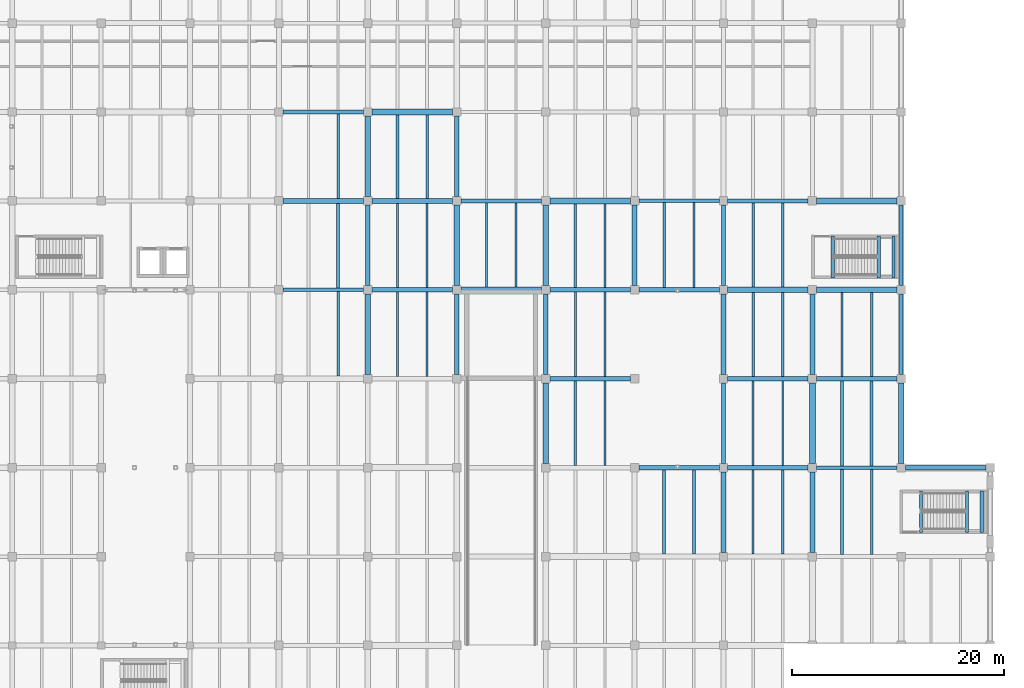
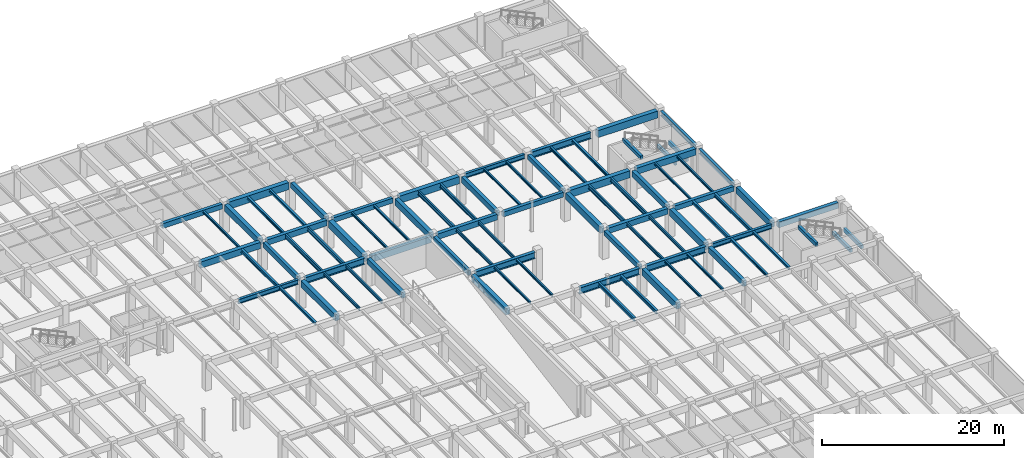
# One storey, part 25 of 63: 84 beams.
"""IFC4 building model written with IfcOpenShell, lengths in metres."""

from ifc_helpers import new_model, si_unit, direction, frame, origin, origin_2d, place, context, subcontext, project, spatial, rectangle, i_section, extrude, material, material_profile, profile_set, type_object, element, save


model = new_model("IFC4")

# Units and contexts
model_context = context("Model", 3, precision=1e-05, world=origin(), true_north=direction((0.0, 1.0)))
body_context = subcontext(model_context, "Body", "Model", "MODEL_VIEW")
ifc_project = project(units=[si_unit("LENGTHUNIT", "METRE"), si_unit("AREAUNIT", "SQUARE_METRE"), si_unit("VOLUMEUNIT", "CUBIC_METRE"), si_unit("PLANEANGLEUNIT", "RADIAN"), si_unit("MASSUNIT", "GRAM", prefix="KILO")], contexts=[model_context])

# Site, building, storey
site_placement = place(None, origin())
site = spatial("IfcSite", under=ifc_project, at=site_placement, CompositionType="ELEMENT")
building_placement = place(site_placement, origin())
building = spatial("IfcBuilding", under=site, at=building_placement, Name="Cumbredor Promenade Congress Hotel", CompositionType="ELEMENT")
storey_placement = place(building_placement, frame((0.0, 0.0, -4.199951171875)))
storey = spatial("IfcBuildingStorey", under=building, at=storey_placement, Name="B01", CompositionType="ELEMENT", Elevation=-4.199951171875)

# Beams
ifc_material_1 = material(Name="Concrete C40/50", Category="concrete")
ifc_material_profile_1 = material_profile(ifc_material_1, rectangle(XDim=0.39990234375, YDim=0.64990234375, at=origin_2d()), Name="RC BEAM 400x650")
ifc_profile_set_1 = profile_set([ifc_material_profile_1], Name="Concrete C40/50")
beam_type_1 = type_object("IfcBeamType", Name="BM-RC-400x650", PredefinedType="BEAM", material=ifc_profile_set_1)
for number, where, z_axis, x_axis, name in (
    (1, (118.0, 100.800048828125, 3.52490234375), (1.0, 0.0, 0.0), (0.0, 1.0, 0.0), "L00 X-Grid Beam 351"),
    (2, (126.0, 84.39990234375, 3.52490234375), (0.0, 1.0, 0.0), (-1.0, 0.0, 0.0), "L00 Y-Grid Beam 375"),
):
    element("IfcBeam", number, at=place(storey_placement, frame(where, z_axis=z_axis, x_axis=x_axis)), inside=storey, type_object=beam_type_1, Name=name, PredefinedType="BEAM", context=body_context, shape_type="SweptSolid", body=[
        extrude(rectangle(XDim=0.39990234375, YDim=0.64990234375, at=origin_2d()), origin(), (0.0, 0.0, 1.0), 7.60009765625),
    ])
beam_1_placement = place(storey_placement, frame((134.800048828125, 92.39990234375, 3.52490234375), z_axis=(1.0, 0.0, 0.0), x_axis=(0.0, 1.0, 0.0)))
element("IfcBeam", 3, at=beam_1_placement, inside=storey, type_object=beam_type_1, Name="L00 X-Grid Beam 399", PredefinedType="BEAM", context=body_context, shape_type="SweptSolid", body=[
    extrude(rectangle(XDim=0.39990234375, YDim=0.64990234375, at=origin_2d()), origin(), (0.0, 0.0, 1.0), 7.599853515625),
])
beam_2_placement = place(storey_placement, frame((142.800048828125, 76.0, 3.52490234375), z_axis=(0.0, 1.0, 0.0), x_axis=(-1.0, 0.0, 0.0)))
element("IfcBeam", 4, at=beam_2_placement, inside=storey, type_object=beam_type_1, Name="L00 Y-Grid Beam 423", PredefinedType="BEAM", context=body_context, shape_type="SweptSolid", body=[
    extrude(rectangle(XDim=0.39990234375, YDim=0.64990234375, at=origin_2d()), origin(), (0.0, 0.0, 1.0), 7.60009765625),
])
for number, where, z_axis, x_axis, name in (
    (5, (151.60009765625, 84.0, 3.52490234375), (1.0, 0.0, 0.0), (0.0, 1.0, 0.0), "L00 X-Grid Beam 447"),
    (6, (159.60009765625, 67.60009765625, 3.52490234375), (0.0, 1.0, 0.0), (-1.0, 0.0, 0.0), "L00 Y-Grid Beam 471"),
):
    element("IfcBeam", number, at=place(storey_placement, frame(where, z_axis=z_axis, x_axis=x_axis)), inside=storey, type_object=beam_type_1, Name=name, PredefinedType="BEAM", context=body_context, shape_type="SweptSolid", body=[
        extrude(rectangle(XDim=0.39990234375, YDim=0.64990234375, at=origin_2d()), origin(), (0.0, 0.0, 1.0), 7.599853515625),
    ])
for number, where, z_axis, x_axis, name in (
    (7, (159.60009765625, 84.39990234375, 3.52490234375), (0.0, 1.0, 0.0), (-1.0, 0.0, 0.0), "L00 Y-Grid Beam 475"),
    (8, (168.39990234375, 75.60009765625, 3.52490234375), (1.0, 0.0, 0.0), (0.0, 1.0, 0.0), "L00 X-Grid Beam 499"),
):
    element("IfcBeam", number, at=place(storey_placement, frame(where, z_axis=z_axis, x_axis=x_axis)), inside=storey, type_object=beam_type_1, Name=name, PredefinedType="BEAM", context=body_context, shape_type="SweptSolid", body=[
        extrude(rectangle(XDim=0.39990234375, YDim=0.64990234375, at=origin_2d()), origin(), (0.0, 0.0, 1.0), 7.60009765625),
    ])
ifc_material_profile_2 = material_profile(ifc_material_1, rectangle(XDim=0.449951171875, YDim=0.75, at=origin_2d()), Name="RC BEAM 450x750")
ifc_profile_set_2 = profile_set([ifc_material_profile_2], Name="Concrete C40/50")
beam_type_2 = type_object("IfcBeamType", Name="BM-RC-450x750", PredefinedType="BEAM", material=ifc_profile_set_2)
for number, where, z_axis, x_axis, name in (
    (9, (126.39990234375, 92.39990234375, 3.474853515625), (1.0, 0.0, 0.0), (0.0, 1.0, 0.0), "L00 X-Grid Beam 376"),
    (10, (134.39990234375, 76.0, 3.474853515625), (0.0, 1.0, 0.0), (-1.0, 0.0, 0.0), "L00 Y-Grid Beam 396"),
):
    element("IfcBeam", number, at=place(storey_placement, frame(where, z_axis=z_axis, x_axis=x_axis)), inside=storey, type_object=beam_type_2, Name=name, PredefinedType="BEAM", context=body_context, shape_type="SweptSolid", body=[
        extrude(rectangle(XDim=0.449951171875, YDim=0.75, at=origin_2d()), origin(), (0.0, 0.0, 1.0), 7.60009765625),
    ])
beam_3_placement = place(storey_placement, frame((134.39990234375, 92.800048828125, 3.474853515625), z_axis=(0.0, 1.0, 0.0), x_axis=(-1.0, 0.0, 0.0)))
element("IfcBeam", 11, at=beam_3_placement, inside=storey, type_object=beam_type_2, Name="L00 Y-Grid Beam 400", PredefinedType="BEAM", context=body_context, shape_type="SweptSolid", body=[
    extrude(rectangle(XDim=0.449951171875, YDim=0.75, at=origin_2d()), origin(), (0.0, 0.0, 1.0), 7.599853515625),
])
for number, where, z_axis, x_axis, name in (
    (12, (143.199951171875, 84.0, 3.474853515625), (1.0, 0.0, 0.0), (0.0, 1.0, 0.0), "L00 X-Grid Beam 424"),
    (13, (151.199951171875, 84.39990234375, 3.474853515625), (0.0, 1.0, 0.0), (-1.0, 0.0, 0.0), "L00 Y-Grid Beam 448"),
    (14, (160.0, 75.60009765625, 3.474853515625), (1.0, 0.0, 0.0), (0.0, 1.0, 0.0), "L00 X-Grid Beam 472"),
    (15, (168.0, 59.199951171875, 3.474853515625), (0.0, 1.0, 0.0), (-1.0, 0.0, 0.0), "L00 Y-Grid Beam 496"),
    (16, (168.0, 76.0, 3.474853515625), (0.0, 1.0, 0.0), (-1.0, 0.0, 0.0), "L00 Y-Grid Beam 500"),
):
    element("IfcBeam", number, at=place(storey_placement, frame(where, z_axis=z_axis, x_axis=x_axis)), inside=storey, type_object=beam_type_2, Name=name, PredefinedType="BEAM", context=body_context, shape_type="SweptSolid", body=[
        extrude(rectangle(XDim=0.449951171875, YDim=0.75, at=origin_2d()), origin(), (0.0, 0.0, 1.0), 7.60009765625),
    ])
beam_4_placement = place(storey_placement, frame((176.800048828125, 67.199951171875, 3.474853515625), z_axis=(1.0, 0.0, 0.0), x_axis=(0.0, 1.0, 0.0)))
element("IfcBeam", 17, at=beam_4_placement, inside=storey, type_object=beam_type_2, Name="L00 X-Grid Beam 520", PredefinedType="BEAM", context=body_context, shape_type="SweptSolid", body=[
    extrude(rectangle(XDim=0.449951171875, YDim=0.75, at=origin_2d()), origin(), (0.0, 0.0, 1.0), 7.599853515625),
])
ifc_material_profile_3 = material_profile(ifc_material_1, rectangle(XDim=0.5, YDim=0.85009765625, at=origin_2d()), Name="RC BEAM 500x850")
ifc_profile_set_3 = profile_set([ifc_material_profile_3], Name="Concrete C40/50")
beam_type_3 = type_object("IfcBeamType", Name="BM-RC-500x850", PredefinedType="BEAM", material=ifc_profile_set_3)
for number, where, z_axis, x_axis, name in (
    (18, (118.0, 92.39990234375, 3.425048828125), (1.0, 0.0, 0.0), (0.0, 1.0, 0.0), "L00 X-Grid Beam 349"),
    (19, (126.0, 76.0, 3.425048828125), (0.0, 1.0, 0.0), (-1.0, 0.0, 0.0), "L00 Y-Grid Beam 373"),
):
    element("IfcBeam", number, at=place(storey_placement, frame(where, z_axis=z_axis, x_axis=x_axis)), inside=storey, type_object=beam_type_3, Name=name, PredefinedType="BEAM", context=body_context, shape_type="SweptSolid", body=[
        extrude(rectangle(XDim=0.5, YDim=0.85009765625, at=origin_2d()), origin(), (0.0, 0.0, 1.0), 7.60009765625),
    ])
for number, where, z_axis, x_axis, name in (
    (20, (126.0, 92.800048828125, 3.425048828125), (0.0, 1.0, 0.0), (-1.0, 0.0, 0.0), "L00 Y-Grid Beam 377"),
    (21, (134.800048828125, 84.0, 3.425048828125), (1.0, 0.0, 0.0), (0.0, 1.0, 0.0), "L00 X-Grid Beam 397"),
    (22, (142.800048828125, 67.60009765625, 3.425048828125), (0.0, 1.0, 0.0), (-1.0, 0.0, 0.0), "L00 Y-Grid Beam 421"),
):
    element("IfcBeam", number, at=place(storey_placement, frame(where, z_axis=z_axis, x_axis=x_axis)), inside=storey, type_object=beam_type_3, Name=name, PredefinedType="BEAM", context=body_context, shape_type="SweptSolid", body=[
        extrude(rectangle(XDim=0.5, YDim=0.85009765625, at=origin_2d()), origin(), (0.0, 0.0, 1.0), 7.599853515625),
    ])
for number, where, z_axis, x_axis, name in (
    (23, (142.800048828125, 84.39990234375, 3.425048828125), (0.0, 1.0, 0.0), (-1.0, 0.0, 0.0), "L00 Y-Grid Beam 425"),
    (24, (159.60009765625, 59.199951171875, 3.425048828125), (0.0, 1.0, 0.0), (-1.0, 0.0, 0.0), "L00 Y-Grid Beam 469"),
    (25, (159.60009765625, 76.0, 3.425048828125), (0.0, 1.0, 0.0), (-1.0, 0.0, 0.0), "L00 Y-Grid Beam 473"),
    (26, (168.39990234375, 84.0, 3.425048828125), (1.0, 0.0, 0.0), (0.0, 1.0, 0.0), "L00 X-Grid Beam 501"),
):
    element("IfcBeam", number, at=place(storey_placement, frame(where, z_axis=z_axis, x_axis=x_axis)), inside=storey, type_object=beam_type_3, Name=name, PredefinedType="BEAM", context=body_context, shape_type="SweptSolid", body=[
        extrude(rectangle(XDim=0.5, YDim=0.85009765625, at=origin_2d()), origin(), (0.0, 0.0, 1.0), 7.60009765625),
    ])
beam_5_placement = place(storey_placement, frame((176.39990234375, 67.60009765625, 3.425048828125), z_axis=(0.0, 1.0, 0.0), x_axis=(-1.0, 0.0, 0.0)))
element("IfcBeam", 27, at=beam_5_placement, inside=storey, type_object=beam_type_3, Name="L00 Y-Grid Beam 521", PredefinedType="BEAM", context=body_context, shape_type="SweptSolid", body=[
    extrude(rectangle(XDim=0.5, YDim=0.85009765625, at=origin_2d()), origin(), (0.0, 0.0, 1.0), 7.599853515625),
])
ifc_material_profile_4 = material_profile(ifc_material_1, rectangle(XDim=0.550048828125, YDim=0.949951171875, at=origin_2d()), Name="RC BEAM 550x950")
ifc_profile_set_4 = profile_set([ifc_material_profile_4], Name="Concrete C40/50")
beam_type_4 = type_object("IfcBeamType", Name="BM-RC-550x950", PredefinedType="BEAM", material=ifc_profile_set_4)
for number, where, z_axis, x_axis, name in (
    (28, (126.39990234375, 100.800048828125, 3.375), (1.0, 0.0, 0.0), (0.0, 1.0, 0.0), "L00 X-Grid Beam 378"),
    (29, (134.39990234375, 84.39990234375, 3.375), (0.0, 1.0, 0.0), (-1.0, 0.0, 0.0), "L00 Y-Grid Beam 398"),
    (30, (143.199951171875, 92.39990234375, 3.375), (1.0, 0.0, 0.0), (0.0, 1.0, 0.0), "L00 X-Grid Beam 426"),
    (31, (160.0, 84.0, 3.375), (1.0, 0.0, 0.0), (0.0, 1.0, 0.0), "L00 X-Grid Beam 474"),
):
    element("IfcBeam", number, at=place(storey_placement, frame(where, z_axis=z_axis, x_axis=x_axis)), inside=storey, type_object=beam_type_4, Name=name, PredefinedType="BEAM", context=body_context, shape_type="SweptSolid", body=[
        extrude(rectangle(XDim=0.550048828125, YDim=0.949951171875, at=origin_2d()), origin(), (0.0, 0.0, 1.0), 7.60009765625),
    ])
beam_6_placement = place(storey_placement, frame((168.0, 67.60009765625, 3.375), z_axis=(0.0, 1.0, 0.0), x_axis=(-1.0, 0.0, 0.0)))
element("IfcBeam", 32, at=beam_6_placement, inside=storey, type_object=beam_type_4, Name="L00 Y-Grid Beam 498", PredefinedType="BEAM", context=body_context, shape_type="SweptSolid", body=[
    extrude(rectangle(XDim=0.550048828125, YDim=0.949951171875, at=origin_2d()), origin(), (0.0, 0.0, 1.0), 7.599853515625),
])
beam_7_placement = place(storey_placement, frame((168.39990234375, 92.39990234375, 3.375), z_axis=(1.0, 0.0, 0.0), x_axis=(0.0, 1.0, 0.0)))
element("IfcBeam", 33, at=beam_7_placement, inside=storey, type_object=beam_type_4, Name="L00 X-Grid Beam 502", PredefinedType="BEAM", context=body_context, shape_type="SweptSolid", body=[
    extrude(rectangle(XDim=0.550048828125, YDim=0.949951171875, at=origin_2d()), origin(), (0.0, 0.0, 1.0), 7.60009765625),
])
ifc_material_2 = material(Name="Steel ASTM A992 Grade 50", Category="steel")
ifc_material_profile_5 = material_profile(ifc_material_2, i_section(OverallWidth=0.323974609375, OverallDepth=0.611083984375, WebThickness=0.0126953125, FlangeThickness=0.01904296875, at=origin_2d()), Name="W24X104")
ifc_profile_set_5 = profile_set([ifc_material_profile_5], Name="Steel ASTM A992 Grade 50")
beam_type_5 = type_object("IfcBeamType", Name="BM-W24X104", PredefinedType="BEAM", material=ifc_profile_set_5)
beam_8_placement = place(storey_placement, frame((118.0, 84.0, 3.54443359375), z_axis=(1.0, 0.0, 0.0), x_axis=(0.0, 1.0, 0.0)))
element("IfcBeam", 34, at=beam_8_placement, inside=storey, type_object=beam_type_5, Name="L00 X-Grid Beam 347", PredefinedType="BEAM", context=body_context, shape_type="SweptSolid", body=[
    extrude(i_section(OverallWidth=0.323974609375, OverallDepth=0.611083984375, WebThickness=0.0126953125, FlangeThickness=0.01904296875, at=origin_2d()), origin(), (0.0, 0.0, 1.0), 7.60009765625),
])
beam_9_placement = place(storey_placement, frame((151.60009765625, 92.39990234375, 3.54443359375), z_axis=(1.0, 0.0, 0.0), x_axis=(0.0, 1.0, 0.0)))
element("IfcBeam", 35, at=beam_9_placement, inside=storey, type_object=beam_type_5, Name="L00 X-Grid Beam 449", PredefinedType="BEAM", context=body_context, shape_type="SweptSolid", body=[
    extrude(i_section(OverallWidth=0.323974609375, OverallDepth=0.611083984375, WebThickness=0.0126953125, FlangeThickness=0.01904296875, at=origin_2d()), origin(), (0.0, 0.0, 1.0), 7.599853515625),
])
beam_10_placement = place(storey_placement, frame((168.39990234375, 67.199951171875, 3.54443359375), z_axis=(1.0, 0.0, 0.0), x_axis=(0.0, 1.0, 0.0)))
element("IfcBeam", 36, at=beam_10_placement, inside=storey, type_object=beam_type_5, Name="L00 X-Grid Beam 497", PredefinedType="BEAM", context=body_context, shape_type="SweptSolid", body=[
    extrude(i_section(OverallWidth=0.323974609375, OverallDepth=0.611083984375, WebThickness=0.0126953125, FlangeThickness=0.01904296875, at=origin_2d()), origin(), (0.0, 0.0, 1.0), 7.60009765625),
])
ifc_material_profile_6 = material_profile(ifc_material_2, i_section(OverallWidth=0.39990234375, OverallDepth=0.85498046875, WebThickness=0.018310546875, FlangeThickness=0.029296875, at=origin_2d()), Name="W33X201")
ifc_profile_set_6 = profile_set([ifc_material_profile_6], Name="Steel ASTM A992 Grade 50")
beam_type_6 = type_object("IfcBeamType", Name="BM-W33X201", PredefinedType="BEAM", material=ifc_profile_set_6)
for number, where, z_axis, x_axis, name in (
    (37, (126.39990234375, 84.0, 3.42236328125), (1.0, 0.0, 0.0), (0.0, 1.0, 0.0), "L00 X-Grid Beam 374"),
    (38, (143.199951171875, 75.60009765625, 3.42236328125), (1.0, 0.0, 0.0), (0.0, 1.0, 0.0), "L00 X-Grid Beam 422"),
):
    element("IfcBeam", number, at=place(storey_placement, frame(where, z_axis=z_axis, x_axis=x_axis)), inside=storey, type_object=beam_type_6, Name=name, PredefinedType="BEAM", context=body_context, shape_type="SweptSolid", body=[
        extrude(i_section(OverallWidth=0.39990234375, OverallDepth=0.85498046875, WebThickness=0.018310546875, FlangeThickness=0.029296875, at=origin_2d()), origin(), (0.0, 0.0, 1.0), 7.60009765625),
    ])
beam_11_placement = place(storey_placement, frame((151.60009765625, 67.199951171875, 3.42236328125), z_axis=(1.0, 0.0, 0.0), x_axis=(0.0, 1.0, 0.0)))
element("IfcBeam", 39, at=beam_11_placement, inside=storey, type_object=beam_type_6, Name="L00 X-Grid Beam 446", PredefinedType="BEAM", context=body_context, shape_type="SweptSolid", body=[
    extrude(i_section(OverallWidth=0.39990234375, OverallDepth=0.85498046875, WebThickness=0.018310546875, FlangeThickness=0.029296875, at=origin_2d()), origin(), (0.0, 0.0, 1.0), 7.599853515625),
])
for number, where, z_axis, x_axis, name in (
    (40, (160.0, 67.199951171875, 3.42236328125), (1.0, 0.0, 0.0), (0.0, 1.0, 0.0), "L00 X-Grid Beam 470"),
    (41, (160.0, 92.39990234375, 3.42236328125), (1.0, 0.0, 0.0), (0.0, 1.0, 0.0), "L00 X-Grid Beam 476"),
):
    element("IfcBeam", number, at=place(storey_placement, frame(where, z_axis=z_axis, x_axis=x_axis)), inside=storey, type_object=beam_type_6, Name=name, PredefinedType="BEAM", context=body_context, shape_type="SweptSolid", body=[
        extrude(i_section(OverallWidth=0.39990234375, OverallDepth=0.85498046875, WebThickness=0.018310546875, FlangeThickness=0.029296875, at=origin_2d()), origin(), (0.0, 0.0, 1.0), 7.60009765625),
    ])
ifc_material_profile_7 = material_profile(ifc_material_2, i_section(OverallWidth=0.202880859375, OverallDepth=0.302978515625, WebThickness=0.007568359375, FlangeThickness=0.01318359375, at=origin_2d()), Name="W12X40")
ifc_profile_set_7 = profile_set([ifc_material_profile_7], Name="Steel ASTM A992 Grade 50")
beam_type_7 = type_object("IfcBeamType", Name="JST-W12X40", PredefinedType="JOIST", material=ifc_profile_set_7)
beam_12_placement = place(storey_placement, frame((123.199951171875, 92.64990234375, 3.698486328125), z_axis=(0.0, 1.0, 0.0), x_axis=(-1.0, 0.0, 0.0)))
element("IfcBeam", 42, at=beam_12_placement, inside=storey, type_object=beam_type_7, Name="L00 Secondary Floor Joist 0300", PredefinedType="JOIST", context=body_context, shape_type="SweptSolid", body=[
    extrude(i_section(OverallWidth=0.202880859375, OverallDepth=0.302978515625, WebThickness=0.007568359375, FlangeThickness=0.01318359375, at=origin_2d()), origin(), (0.0, 0.0, 1.0), 7.9501953125),
])
for number, where, z_axis, x_axis, name in (
    (43, (137.199951171875, 84.25, 3.698486328125), (0.0, 1.0, 0.0), (-1.0, 0.0, 0.0), "L00 Secondary Floor Joist 0339"),
    (44, (140.0, 84.25, 3.698486328125), (0.0, 1.0, 0.0), (-1.0, 0.0, 0.0), "L00 Secondary Floor Joist 0340"),
):
    element("IfcBeam", number, at=place(storey_placement, frame(where, z_axis=z_axis, x_axis=x_axis)), inside=storey, type_object=beam_type_7, Name=name, PredefinedType="JOIST", context=body_context, shape_type="SweptSolid", body=[
        extrude(i_section(OverallWidth=0.202880859375, OverallDepth=0.302978515625, WebThickness=0.007568359375, FlangeThickness=0.01318359375, at=origin_2d()), origin(), (0.0, 0.0, 1.0), 7.949951171875),
    ])
for number, where, z_axis, x_axis, name in (
    (45, (145.60009765625, 67.425048828125, 3.698486328125), (0.0, 1.0, 0.0), (-1.0, 0.0, 0.0), "L00 Secondary Floor Joist 0359"),
    (46, (148.39990234375, 67.425048828125, 3.698486328125), (0.0, 1.0, 0.0), (-1.0, 0.0, 0.0), "L00 Secondary Floor Joist 0360"),
):
    element("IfcBeam", number, at=place(storey_placement, frame(where, z_axis=z_axis, x_axis=x_axis)), inside=storey, type_object=beam_type_7, Name=name, PredefinedType="JOIST", context=body_context, shape_type="SweptSolid", body=[
        extrude(i_section(OverallWidth=0.202880859375, OverallDepth=0.302978515625, WebThickness=0.007568359375, FlangeThickness=0.01318359375, at=origin_2d()), origin(), (0.0, 0.0, 1.0), 7.974853515625),
    ])
for number, where, z_axis, x_axis, name in (
    (47, (154.0, 84.199951171875, 3.698486328125), (0.0, 1.0, 0.0), (-1.0, 0.0, 0.0), "L00 Secondary Floor Joist 0384"),
    (48, (156.800048828125, 84.199951171875, 3.698486328125), (0.0, 1.0, 0.0), (-1.0, 0.0, 0.0), "L00 Secondary Floor Joist 0385"),
):
    element("IfcBeam", number, at=place(storey_placement, frame(where, z_axis=z_axis, x_axis=x_axis)), inside=storey, type_object=beam_type_7, Name=name, PredefinedType="JOIST", context=body_context, shape_type="SweptSolid", body=[
        extrude(i_section(OverallWidth=0.202880859375, OverallDepth=0.302978515625, WebThickness=0.007568359375, FlangeThickness=0.01318359375, at=origin_2d()), origin(), (0.0, 0.0, 1.0), 8.0380859375),
    ])
for number, where, z_axis, x_axis, name in (
    (49, (162.39990234375, 59.02490234375, 3.698486328125), (0.0, 1.0, 0.0), (-1.0, 0.0, 0.0), "L00 Secondary Floor Joist 0404"),
    (50, (165.199951171875, 59.02490234375, 3.698486328125), (0.0, 1.0, 0.0), (-1.0, 0.0, 0.0), "L00 Secondary Floor Joist 0405"),
):
    element("IfcBeam", number, at=place(storey_placement, frame(where, z_axis=z_axis, x_axis=x_axis)), inside=storey, type_object=beam_type_7, Name=name, PredefinedType="JOIST", context=body_context, shape_type="SweptSolid", body=[
        extrude(i_section(OverallWidth=0.202880859375, OverallDepth=0.302978515625, WebThickness=0.007568359375, FlangeThickness=0.01318359375, at=origin_2d()), origin(), (0.0, 0.0, 1.0), 7.97509765625),
    ])
for number, where, z_axis, x_axis, name in (
    (51, (170.800048828125, 75.800048828125, 3.698486328125), (0.0, 1.0, 0.0), (-1.0, 0.0, 0.0), "L00 Secondary Floor Joist 0434"),
    (52, (173.60009765625, 75.800048828125, 3.698486328125), (0.0, 1.0, 0.0), (-1.0, 0.0, 0.0), "L00 Secondary Floor Joist 0435"),
):
    element("IfcBeam", number, at=place(storey_placement, frame(where, z_axis=z_axis, x_axis=x_axis)), inside=storey, type_object=beam_type_7, Name=name, PredefinedType="JOIST", context=body_context, shape_type="SweptSolid", body=[
        extrude(i_section(OverallWidth=0.202880859375, OverallDepth=0.302978515625, WebThickness=0.007568359375, FlangeThickness=0.01318359375, at=origin_2d()), origin(), (0.0, 0.0, 1.0), 7.949951171875),
    ])
ifc_material_profile_8 = material_profile(ifc_material_2, i_section(OverallWidth=0.2548828125, OverallDepth=0.35693359375, WebThickness=0.010498046875, FlangeThickness=0.018310546875, at=origin_2d()), Name="W14X68")
ifc_profile_set_8 = profile_set([ifc_material_profile_8], Name="Steel ASTM A992 Grade 50")
beam_type_8 = type_object("IfcBeamType", Name="JST-W14X68", PredefinedType="JOIST", material=ifc_profile_set_8)
beam_13_placement = place(storey_placement, frame((123.199951171875, 75.85009765625, 3.67138671875), z_axis=(0.0, 1.0, 0.0), x_axis=(-1.0, 0.0, 0.0)))
element("IfcBeam", 53, at=beam_13_placement, inside=storey, type_object=beam_type_8, Name="L00 Secondary Floor Joist 0296", PredefinedType="JOIST", context=body_context, shape_type="SweptSolid", body=[
    extrude(i_section(OverallWidth=0.2548828125, OverallDepth=0.35693359375, WebThickness=0.010498046875, FlangeThickness=0.018310546875, at=origin_2d()), origin(), (0.0, 0.0, 1.0), 7.98779296875),
])
for number, where, z_axis, x_axis, name in (
    (54, (128.800048828125, 92.625, 3.67138671875), (0.0, 1.0, 0.0), (-1.0, 0.0, 0.0), "L00 Secondary Floor Joist 0325"),
    (55, (131.60009765625, 92.625, 3.67138671875), (0.0, 1.0, 0.0), (-1.0, 0.0, 0.0), "L00 Secondary Floor Joist 0326"),
):
    element("IfcBeam", number, at=place(storey_placement, frame(where, z_axis=z_axis, x_axis=x_axis)), inside=storey, type_object=beam_type_8, Name=name, PredefinedType="JOIST", context=body_context, shape_type="SweptSolid", body=[
        extrude(i_section(OverallWidth=0.2548828125, OverallDepth=0.35693359375, WebThickness=0.010498046875, FlangeThickness=0.018310546875, at=origin_2d()), origin(), (0.0, 0.0, 1.0), 7.89990234375),
    ])
for number, where, z_axis, x_axis, name in (
    (56, (162.39990234375, 84.27490234375, 3.67138671875), (0.0, 1.0, 0.0), (-1.0, 0.0, 0.0), "L00 Secondary Floor Joist 0410"),
    (57, (165.199951171875, 84.27490234375, 3.67138671875), (0.0, 1.0, 0.0), (-1.0, 0.0, 0.0), "L00 Secondary Floor Joist 0411"),
):
    element("IfcBeam", number, at=place(storey_placement, frame(where, z_axis=z_axis, x_axis=x_axis)), inside=storey, type_object=beam_type_8, Name=name, PredefinedType="JOIST", context=body_context, shape_type="SweptSolid", body=[
        extrude(i_section(OverallWidth=0.2548828125, OverallDepth=0.35693359375, WebThickness=0.010498046875, FlangeThickness=0.018310546875, at=origin_2d()), origin(), (0.0, 0.0, 1.0), 7.925048828125),
    ])
for number, where, z_axis, x_axis, name in (
    (58, (170.800048828125, 59.0, 3.67138671875), (0.0, 1.0, 0.0), (-1.0, 0.0, 0.0), "L00 Secondary Floor Joist 0430"),
    (59, (173.60009765625, 59.0, 3.67138671875), (0.0, 1.0, 0.0), (-1.0, 0.0, 0.0), "L00 Secondary Floor Joist 0431"),
):
    element("IfcBeam", number, at=place(storey_placement, frame(where, z_axis=z_axis, x_axis=x_axis)), inside=storey, type_object=beam_type_8, Name=name, PredefinedType="JOIST", context=body_context, shape_type="SweptSolid", body=[
        extrude(i_section(OverallWidth=0.2548828125, OverallDepth=0.35693359375, WebThickness=0.010498046875, FlangeThickness=0.018310546875, at=origin_2d()), origin(), (0.0, 0.0, 1.0), 8.0380859375),
    ])
ifc_material_profile_9 = material_profile(ifc_material_2, i_section(OverallWidth=0.180908203125, OverallDepth=0.4169921875, WebThickness=0.010986328125, FlangeThickness=0.018310546875, at=origin_2d()), Name="W16X57")
ifc_profile_set_9 = profile_set([ifc_material_profile_9], Name="Steel ASTM A992 Grade 50")
beam_type_9 = type_object("IfcBeamType", Name="JST-W16X57", PredefinedType="JOIST", material=ifc_profile_set_9)
for number, where, z_axis, x_axis, name in (
    (60, (128.800048828125, 75.824951171875, 3.641357421875), (0.0, 1.0, 0.0), (-1.0, 0.0, 0.0), "L00 Secondary Floor Joist 0321"),
    (61, (131.60009765625, 75.824951171875, 3.641357421875), (0.0, 1.0, 0.0), (-1.0, 0.0, 0.0), "L00 Secondary Floor Joist 0322"),
):
    element("IfcBeam", number, at=place(storey_placement, frame(where, z_axis=z_axis, x_axis=x_axis)), inside=storey, type_object=beam_type_9, Name=name, PredefinedType="JOIST", context=body_context, shape_type="SweptSolid", body=[
        extrude(i_section(OverallWidth=0.180908203125, OverallDepth=0.4169921875, WebThickness=0.010986328125, FlangeThickness=0.018310546875, at=origin_2d()), origin(), (0.0, 0.0, 1.0), 7.97509765625),
    ])
for number, where, z_axis, x_axis, name in (
    (62, (145.60009765625, 75.800048828125, 3.641357421875), (0.0, 1.0, 0.0), (-1.0, 0.0, 0.0), "L00 Secondary Floor Joist 0361"),
    (63, (148.39990234375, 75.800048828125, 3.641357421875), (0.0, 1.0, 0.0), (-1.0, 0.0, 0.0), "L00 Secondary Floor Joist 0362"),
):
    element("IfcBeam", number, at=place(storey_placement, frame(where, z_axis=z_axis, x_axis=x_axis)), inside=storey, type_object=beam_type_9, Name=name, PredefinedType="JOIST", context=body_context, shape_type="SweptSolid", body=[
        extrude(i_section(OverallWidth=0.180908203125, OverallDepth=0.4169921875, WebThickness=0.010986328125, FlangeThickness=0.018310546875, at=origin_2d()), origin(), (0.0, 0.0, 1.0), 7.974853515625),
    ])
for number, where, z_axis, x_axis, name in (
    (64, (162.39990234375, 67.39990234375, 3.641357421875), (0.0, 1.0, 0.0), (-1.0, 0.0, 0.0), "L00 Secondary Floor Joist 0406"),
    (65, (165.199951171875, 67.39990234375, 3.641357421875), (0.0, 1.0, 0.0), (-1.0, 0.0, 0.0), "L00 Secondary Floor Joist 0407"),
):
    element("IfcBeam", number, at=place(storey_placement, frame(where, z_axis=z_axis, x_axis=x_axis)), inside=storey, type_object=beam_type_9, Name=name, PredefinedType="JOIST", context=body_context, shape_type="SweptSolid", body=[
        extrude(i_section(OverallWidth=0.180908203125, OverallDepth=0.4169921875, WebThickness=0.010986328125, FlangeThickness=0.018310546875, at=origin_2d()), origin(), (0.0, 0.0, 1.0), 7.97509765625),
    ])
ifc_material_profile_10 = material_profile(ifc_material_2, i_section(OverallWidth=0.280029296875, OverallDepth=0.462890625, WebThickness=0.0107421875, FlangeThickness=0.017333984375, at=origin_2d()), Name="W18X76")
ifc_profile_set_10 = profile_set([ifc_material_profile_10], Name="Steel ASTM A992 Grade 50")
beam_type_10 = type_object("IfcBeamType", Name="JST-W18X76", PredefinedType="JOIST", material=ifc_profile_set_10)
beam_14_placement = place(storey_placement, frame((123.199951171875, 84.162109375, 3.618408203125), z_axis=(0.0, 1.0, 0.0), x_axis=(-1.0, 0.0, 0.0)))
element("IfcBeam", 66, at=beam_14_placement, inside=storey, type_object=beam_type_10, Name="L00 Secondary Floor Joist 0298", PredefinedType="JOIST", context=body_context, shape_type="SweptSolid", body=[
    extrude(i_section(OverallWidth=0.280029296875, OverallDepth=0.462890625, WebThickness=0.0107421875, FlangeThickness=0.017333984375, at=origin_2d()), origin(), (0.0, 0.0, 1.0), 7.98779296875),
])
for number, where, z_axis, x_axis, name in (
    (67, (154.0, 59.02490234375, 3.618408203125), (0.0, 1.0, 0.0), (-1.0, 0.0, 0.0), "L00 Secondary Floor Joist 0382"),
    (68, (156.800048828125, 59.02490234375, 3.618408203125), (0.0, 1.0, 0.0), (-1.0, 0.0, 0.0), "L00 Secondary Floor Joist 0383"),
):
    element("IfcBeam", number, at=place(storey_placement, frame(where, z_axis=z_axis, x_axis=x_axis)), inside=storey, type_object=beam_type_10, Name=name, PredefinedType="JOIST", context=body_context, shape_type="SweptSolid", body=[
        extrude(i_section(OverallWidth=0.280029296875, OverallDepth=0.462890625, WebThickness=0.0107421875, FlangeThickness=0.017333984375, at=origin_2d()), origin(), (0.0, 0.0, 1.0), 7.97509765625),
    ])
for number, where, z_axis, x_axis, name in (
    (69, (170.800048828125, 67.362060546875, 3.618408203125), (0.0, 1.0, 0.0), (-1.0, 0.0, 0.0), "L00 Secondary Floor Joist 0432"),
    (70, (173.60009765625, 67.362060546875, 3.618408203125), (0.0, 1.0, 0.0), (-1.0, 0.0, 0.0), "L00 Secondary Floor Joist 0433"),
):
    element("IfcBeam", number, at=place(storey_placement, frame(where, z_axis=z_axis, x_axis=x_axis)), inside=storey, type_object=beam_type_10, Name=name, PredefinedType="JOIST", context=body_context, shape_type="SweptSolid", body=[
        extrude(i_section(OverallWidth=0.280029296875, OverallDepth=0.462890625, WebThickness=0.0107421875, FlangeThickness=0.017333984375, at=origin_2d()), origin(), (0.0, 0.0, 1.0), 8.037841796875),
    ])
ifc_material_profile_11 = material_profile(ifc_material_2, i_section(OverallWidth=0.214111328125, OverallDepth=0.549072265625, WebThickness=0.0146484375, FlangeThickness=0.023681640625, at=origin_2d()), Name="W21X93")
ifc_profile_set_11 = profile_set([ifc_material_profile_11], Name="Steel ASTM A992 Grade 50")
beam_type_11 = type_object("IfcBeamType", Name="JST-W21X93", PredefinedType="JOIST", material=ifc_profile_set_11)
for number, where, z_axis, x_axis, name in (
    (71, (128.800048828125, 84.199951171875, 3.575439453125), (0.0, 1.0, 0.0), (-1.0, 0.0, 0.0), "L00 Secondary Floor Joist 0323"),
    (72, (131.60009765625, 84.199951171875, 3.575439453125), (0.0, 1.0, 0.0), (-1.0, 0.0, 0.0), "L00 Secondary Floor Joist 0324"),
):
    element("IfcBeam", number, at=place(storey_placement, frame(where, z_axis=z_axis, x_axis=x_axis)), inside=storey, type_object=beam_type_11, Name=name, PredefinedType="JOIST", context=body_context, shape_type="SweptSolid", body=[
        extrude(i_section(OverallWidth=0.214111328125, OverallDepth=0.549072265625, WebThickness=0.0146484375, FlangeThickness=0.023681640625, at=origin_2d()), origin(), (0.0, 0.0, 1.0), 7.97509765625),
    ])
for number, where, z_axis, x_axis, name in (
    (73, (145.60009765625, 84.22509765625, 3.575439453125), (0.0, 1.0, 0.0), (-1.0, 0.0, 0.0), "L00 Secondary Floor Joist 0363"),
    (74, (148.39990234375, 84.22509765625, 3.575439453125), (0.0, 1.0, 0.0), (-1.0, 0.0, 0.0), "L00 Secondary Floor Joist 0364"),
):
    element("IfcBeam", number, at=place(storey_placement, frame(where, z_axis=z_axis, x_axis=x_axis)), inside=storey, type_object=beam_type_11, Name=name, PredefinedType="JOIST", context=body_context, shape_type="SweptSolid", body=[
        extrude(i_section(OverallWidth=0.214111328125, OverallDepth=0.549072265625, WebThickness=0.0146484375, FlangeThickness=0.023681640625, at=origin_2d()), origin(), (0.0, 0.0, 1.0), 7.89990234375),
    ])
for number, where, z_axis, x_axis, name in (
    (75, (162.39990234375, 75.824951171875, 3.575439453125), (0.0, 1.0, 0.0), (-1.0, 0.0, 0.0), "L00 Secondary Floor Joist 0408"),
    (76, (165.199951171875, 75.824951171875, 3.575439453125), (0.0, 1.0, 0.0), (-1.0, 0.0, 0.0), "L00 Secondary Floor Joist 0409"),
):
    element("IfcBeam", number, at=place(storey_placement, frame(where, z_axis=z_axis, x_axis=x_axis)), inside=storey, type_object=beam_type_11, Name=name, PredefinedType="JOIST", context=body_context, shape_type="SweptSolid", body=[
        extrude(i_section(OverallWidth=0.214111328125, OverallDepth=0.549072265625, WebThickness=0.0146484375, FlangeThickness=0.023681640625, at=origin_2d()), origin(), (0.0, 0.0, 1.0), 7.900146484375),
    ])
ifc_material_profile_12 = material_profile(ifc_material_1, rectangle(XDim=0.300048828125, YDim=0.5, at=origin_2d()), Name="RC LINTEL 300x500")
ifc_profile_set_12 = profile_set([ifc_material_profile_12], Name="Concrete C40/50")
beam_type_12 = type_object("IfcBeamType", Name="LN-RC-300x500", PredefinedType="LINTEL", material=ifc_profile_set_12)
for number, where, z_axis, x_axis, name in (
    (77, (184.0, 61.050048828125, 1.64990234375), (0.0, 1.0, 0.0), (-1.0, 0.0, 0.0), "B01 Stair ST-10 Landing Ledger Beam E"),
    (78, (182.60009765625, 61.050048828125, 1.64990234375), (0.0, 1.0, 0.0), (-1.0, 0.0, 0.0), "B01 Stair ST-10 Landing Ledger Beam W"),
    (79, (178.25, 61.050048828125, 3.949951171875), (0.0, 1.0, 0.0), (-1.0, 0.0, 0.0), "L00 Stair ST-10 Well Header Trimmer Beam"),
):
    element("IfcBeam", number, at=place(storey_placement, frame(where, z_axis=z_axis, x_axis=x_axis)), inside=storey, type_object=beam_type_12, Name=name, PredefinedType="LINTEL", context=body_context, shape_type="SweptSolid", body=[
        extrude(rectangle(XDim=0.300048828125, YDim=0.5, at=origin_2d()), origin(), (0.0, 0.0, 1.0), 3.949951171875),
    ])
for number, where, z_axis, x_axis, name in (
    (80, (175.669921875, 85.1298828125, 1.64990234375), (0.0, 1.0, 0.0), (-1.0, 0.0, 0.0), "B01 Stair ST-14 Landing Ledger Beam E"),
    (81, (174.27001953125, 85.1298828125, 1.64990234375), (0.0, 1.0, 0.0), (-1.0, 0.0, 0.0), "B01 Stair ST-14 Landing Ledger Beam W"),
    (82, (169.919921875, 85.1298828125, 3.949951171875), (0.0, 1.0, 0.0), (-1.0, 0.0, 0.0), "L00 Stair ST-14 Well Header Trimmer Beam"),
):
    element("IfcBeam", number, at=place(storey_placement, frame(where, z_axis=z_axis, x_axis=x_axis)), inside=storey, type_object=beam_type_12, Name=name, PredefinedType="LINTEL", context=body_context, shape_type="SweptSolid", body=[
        extrude(rectangle(XDim=0.300048828125, YDim=0.5, at=origin_2d()), origin(), (0.0, 0.0, 1.0), 3.97021484375),
    ])
ifc_material_profile_13 = material_profile(ifc_material_2, i_section(OverallWidth=0.323974609375, OverallDepth=0.611083984375, WebThickness=0.0126953125, FlangeThickness=0.01904296875, at=origin_2d()), Name="W24X104")
ifc_profile_set_13 = profile_set([ifc_material_profile_13], Name="Steel ASTM A992 Grade 50")
beam_type_13 = type_object("IfcBeamType", Name="SP-W24X104", PredefinedType="SPANDREL", material=ifc_profile_set_13)
for number, where, z_axis, x_axis, name in (
    (83, (176.39990234375, 76.0, 3.54443359375), (0.0, 1.0, 0.0), (-1.0, 0.0, 0.0), "L00 Y-Grid Beam 522"),
    (84, (176.39990234375, 84.39990234375, 3.54443359375), (0.0, 1.0, 0.0), (-1.0, 0.0, 0.0), "L00 Y-Grid Beam 523"),
):
    element("IfcBeam", number, at=place(storey_placement, frame(where, z_axis=z_axis, x_axis=x_axis)), inside=storey, type_object=beam_type_13, Name=name, PredefinedType="SPANDREL", context=body_context, shape_type="SweptSolid", body=[
        extrude(i_section(OverallWidth=0.323974609375, OverallDepth=0.611083984375, WebThickness=0.0126953125, FlangeThickness=0.01904296875, at=origin_2d()), origin(), (0.0, 0.0, 1.0), 7.60009765625),
    ])

save(model, "model.ifc")
